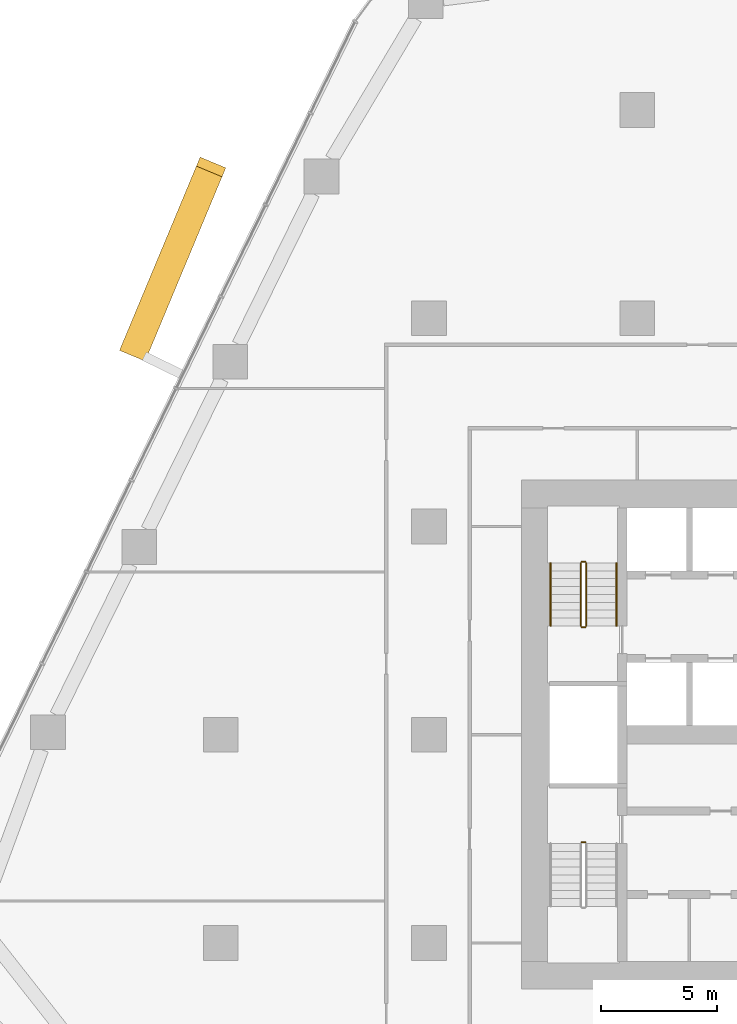
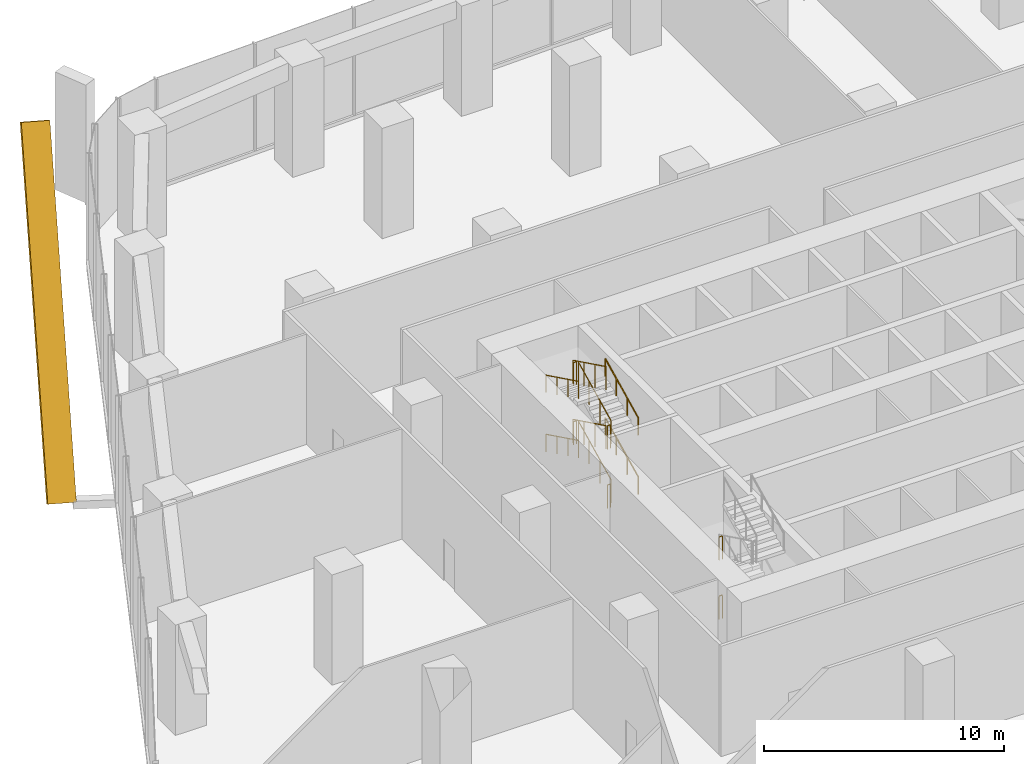
# One storey, part 17 of 19: 14 railings, 1 covering, 1 element without a shape of its own.
"""IFC4 building model written with IfcOpenShell, lengths in metres."""

from ifc_helpers import new_model, si_unit, direction, frame, origin, origin_2d, place, context, subcontext, project, spatial, rectangle, circle, extrude, material, layer, layer_set, material_profile, profile_set, type_object, element, aggregate, save


model = new_model("IFC4")

# Units and contexts
model_context = context("Model", 3, precision=1e-05, world=origin(), true_north=direction((0.0, 1.0)))
body_context = subcontext(model_context, "Body", "Model", "MODEL_VIEW")
ifc_project = project(units=[si_unit("LENGTHUNIT", "METRE"), si_unit("AREAUNIT", "SQUARE_METRE"), si_unit("VOLUMEUNIT", "CUBIC_METRE"), si_unit("PLANEANGLEUNIT", "RADIAN"), si_unit("MASSUNIT", "GRAM", prefix="KILO")], contexts=[model_context])

# Site, building, storey
site_placement = place(None, origin())
site = spatial("IfcSite", under=ifc_project, at=site_placement, CompositionType="ELEMENT")
building_placement = place(site_placement, origin())
building = spatial("IfcBuilding", under=site, at=building_placement, Name="Dongbaek Canopy Tower", CompositionType="ELEMENT")
storey_placement = place(building_placement, frame((0.0, 0.0, 38.0)))
storey = spatial("IfcBuildingStorey", under=building, at=storey_placement, Name="L05", CompositionType="ELEMENT", Elevation=38.0)

# Curtain wall, covering
ifc_material_1 = material(Name="Aluminium 6063-T6 pale anodised", Category="aluminium")
ifc_layer = layer(ifc_material_1, 0.25)
ifc_layer_set = layer_set([ifc_layer], Name="CW-4 sky-lobby curtain wall")
curtain_wall_type = type_object("IfcCurtainWallType", Name="CW-4 sky-lobby curtain wall", PredefinedType="NOTDEFINED", material=ifc_layer_set)
curtain_wall_placement = place(storey_placement, origin())
curtain_wall = element("IfcCurtainWall", 1, at=curtain_wall_placement, inside=storey, type_object=curtain_wall_type, Name="CW-4 curtain wall F2.1", PredefinedType="NOTDEFINED")
ifc_material_2 = material(Name="Aluminium 6063-T6 pale metal fin", Category="aluminium")
ifc_material_profile = material_profile(ifc_material_2, rectangle(XDim=1.199951171875, YDim=0.5, at=origin_2d()), Name="Crease fin CF1 500 x 1200 pale metal")
ifc_profile_set = profile_set([ifc_material_profile], Name="Aluminium 6063-T6 pale metal fin")
covering_type = type_object("IfcCoveringType", Name="Crease fin CF1 500 x 1200 pale metal", PredefinedType="CLADDING", material=ifc_profile_set)
covering_placement = place(storey_placement, frame((-30.7412109375, 16.5693359375, -0.199951171875), z_axis=(0.208461555595, 0.499701143847, 0.840739285794), x_axis=(-0.922911108661, 0.385013097841, 0.0)))
covering = element("IfcCovering", 2, at=covering_placement, type_object=covering_type, Name="Crease fin L05 L08 F2", PredefinedType="CLADDING", context=body_context, shape_type="SweptSolid", body=[
    extrude(rectangle(XDim=1.199951171875, YDim=0.5, at=origin_2d()), origin(), (0.0, 0.0, 1.0), 15.938232421875),
])
aggregate(curtain_wall, [covering])

# Railings
ifc_material_3 = material(Name="Stainless steel tube and balusters", Category="steel")
railing_type_1 = type_object("IfcRailingType", Name="Stair guard 1200", PredefinedType="GUARDRAIL", material=ifc_material_3)
railing_1_placement = place(storey_placement, frame((-11.199951171875, 4.699951171875, 0.166748046875)))
element("IfcRailing", 3, at=railing_1_placement, inside=storey, type_object=railing_type_1, Name="L05 ST-C stair guard 1", PredefinedType="GUARDRAIL", context=body_context, shape_type="SweptSolid", body=[
    extrude(circle(Radius=0.02392578125, at=origin_2d()), frame((0.0, 0.0, 1.17578125), z_axis=(0.0, 0.897929466783, 0.4401393787), x_axis=(-1.0, 0.0, 0.0)), (0.0, 0.0, 1.0), 3.029052734375),
    extrude(circle(Radius=0.02099609375, at=origin_2d()), origin(), (0.0, 0.0, 1.0), 1.15185546875),
    extrude(circle(Radius=0.02099609375, at=origin_2d()), frame((0.0, 0.90673828125, 0.4443359375)), (0.0, 0.0, 1.0), 1.15185546875),
    extrude(circle(Radius=0.02099609375, at=origin_2d()), frame((0.0, 1.813232421875, 0.888916015625)), (0.0, 0.0, 1.0), 1.15185546875),
    extrude(circle(Radius=0.02099609375, at=origin_2d()), frame((0.0, 2.719970703125, 1.333251953125)), (0.0, 0.0, 1.0), 1.15185546875),
])
railing_2_placement = place(storey_placement, frame((-11.25, 7.469970703125, 1.5)))
element("IfcRailing", 4, at=railing_2_placement, inside=storey, type_object=railing_type_1, Name="L05 ST-C stair guard 2", PredefinedType="GUARDRAIL", context=body_context, shape_type="SweptSolid", body=[
    extrude(circle(Radius=0.02392578125, at=origin_2d()), frame((0.0, 0.0, 1.17578125), z_axis=(-1.0, 0.0, 0.0), x_axis=(0.0, -1.0, 0.0)), (0.0, 0.0, 1.0), 0.14990234375),
    extrude(circle(Radius=0.02099609375, at=origin_2d()), origin(), (0.0, 0.0, 1.0), 1.15185546875),
    extrude(circle(Radius=0.02099609375, at=origin_2d()), frame((-0.14990234375, 0.0, 0.0)), (0.0, 0.0, 1.0), 1.15185546875),
])
railing_3_placement = place(storey_placement, frame((-11.449951171875, 7.419921875, 1.666748046875)))
element("IfcRailing", 5, at=railing_3_placement, inside=storey, type_object=railing_type_1, Name="L05 ST-C stair guard 3", PredefinedType="GUARDRAIL", context=body_context, shape_type="SweptSolid", body=[
    extrude(circle(Radius=0.02392578125, at=origin_2d()), frame((0.0, 0.0, 1.17578125), z_axis=(0.0, -0.897929466783, 0.4401393787), x_axis=(1.0, 0.0, 0.0)), (0.0, 0.0, 1.0), 3.029052734375),
    extrude(circle(Radius=0.02099609375, at=origin_2d()), origin(), (0.0, 0.0, 1.0), 1.15185546875),
    extrude(circle(Radius=0.02099609375, at=origin_2d()), frame((0.0, -0.90673828125, 0.4443359375)), (0.0, 0.0, 1.0), 1.15185546875),
    extrude(circle(Radius=0.02099609375, at=origin_2d()), frame((0.0, -1.813232421875, 0.888916015625)), (0.0, 0.0, 1.0), 1.15185546875),
    extrude(circle(Radius=0.02099609375, at=origin_2d()), frame((0.0, -2.719970703125, 1.333251953125)), (0.0, 0.0, 1.0), 1.15185546875),
])
railing_4_placement = place(storey_placement, frame((-11.25, 4.64990234375, 3.0)))
element("IfcRailing", 6, at=railing_4_placement, inside=storey, type_object=railing_type_1, Name="L05 ST-C stair guard 4", PredefinedType="GUARDRAIL", context=body_context, shape_type="SweptSolid", body=[
    extrude(circle(Radius=0.02392578125, at=origin_2d()), frame((0.0, 0.0, 1.17578125), z_axis=(-1.0, 0.0, 0.0), x_axis=(0.0, -1.0, 0.0)), (0.0, 0.0, 1.0), 0.14990234375),
    extrude(circle(Radius=0.02099609375, at=origin_2d()), origin(), (0.0, 0.0, 1.0), 1.15185546875),
    extrude(circle(Radius=0.02099609375, at=origin_2d()), frame((-0.14990234375, 0.0, 0.0)), (0.0, 0.0, 1.0), 1.15185546875),
])
railing_5_placement = place(storey_placement, frame((-11.199951171875, 4.699951171875, 3.166748046875)))
element("IfcRailing", 7, at=railing_5_placement, inside=storey, type_object=railing_type_1, Name="L05 ST-C stair guard 5", PredefinedType="GUARDRAIL", context=body_context, shape_type="SweptSolid", body=[
    extrude(circle(Radius=0.02392578125, at=origin_2d()), frame((0.0, 0.0, 1.17578125), z_axis=(0.0, 0.897929466783, 0.4401393787), x_axis=(-1.0, 0.0, 0.0)), (0.0, 0.0, 1.0), 3.029052734375),
    extrude(circle(Radius=0.02099609375, at=origin_2d()), origin(), (0.0, 0.0, 1.0), 1.15185546875),
    extrude(circle(Radius=0.02099609375, at=origin_2d()), frame((0.0, 0.90673828125, 0.4443359375)), (0.0, 0.0, 1.0), 1.15185546875),
    extrude(circle(Radius=0.02099609375, at=origin_2d()), frame((0.0, 1.813232421875, 0.888916015625)), (0.0, 0.0, 1.0), 1.15185546875),
    extrude(circle(Radius=0.02099609375, at=origin_2d()), frame((0.0, 2.719970703125, 1.333251953125)), (0.0, 0.0, 1.0), 1.15185546875),
])
railing_6_placement = place(storey_placement, frame((-11.25, 7.469970703125, 4.5)))
element("IfcRailing", 8, at=railing_6_placement, inside=storey, type_object=railing_type_1, Name="L05 ST-C stair guard 6", PredefinedType="GUARDRAIL", context=body_context, shape_type="SweptSolid", body=[
    extrude(circle(Radius=0.02392578125, at=origin_2d()), frame((0.0, 0.0, 1.17578125), z_axis=(-1.0, 0.0, 0.0), x_axis=(0.0, -1.0, 0.0)), (0.0, 0.0, 1.0), 0.14990234375),
    extrude(circle(Radius=0.02099609375, at=origin_2d()), origin(), (0.0, 0.0, 1.0), 1.15185546875),
    extrude(circle(Radius=0.02099609375, at=origin_2d()), frame((-0.14990234375, 0.0, 0.0)), (0.0, 0.0, 1.0), 1.15185546875),
])
railing_7_placement = place(storey_placement, frame((-11.449951171875, 7.419921875, 4.666748046875)))
element("IfcRailing", 9, at=railing_7_placement, inside=storey, type_object=railing_type_1, Name="L05 ST-C stair guard 7", PredefinedType="GUARDRAIL", context=body_context, shape_type="SweptSolid", body=[
    extrude(circle(Radius=0.02392578125, at=origin_2d()), frame((0.0, 0.0, 1.17578125), z_axis=(0.0, -0.897929466783, 0.4401393787), x_axis=(1.0, 0.0, 0.0)), (0.0, 0.0, 1.0), 3.029052734375),
    extrude(circle(Radius=0.02099609375, at=origin_2d()), origin(), (0.0, 0.0, 1.0), 1.15185546875),
    extrude(circle(Radius=0.02099609375, at=origin_2d()), frame((0.0, -0.90673828125, 0.4443359375)), (0.0, 0.0, 1.0), 1.15185546875),
    extrude(circle(Radius=0.02099609375, at=origin_2d()), frame((0.0, -1.813232421875, 0.888916015625)), (0.0, 0.0, 1.0), 1.15185546875),
    extrude(circle(Radius=0.02099609375, at=origin_2d()), frame((0.0, -2.719970703125, 1.333251953125)), (0.0, 0.0, 1.0), 1.15185546875),
])
railing_8_placement = place(storey_placement, frame((-11.25, 4.64990234375, 0.0)))
element("IfcRailing", 10, at=railing_8_placement, inside=storey, type_object=railing_type_1, Name="L05 ST-C stair guard 8", PredefinedType="GUARDRAIL", context=body_context, shape_type="SweptSolid", body=[
    extrude(circle(Radius=0.02392578125, at=origin_2d()), frame((0.0, 0.0, 1.17578125), z_axis=(-1.0, 0.0, 0.0), x_axis=(0.0, -1.0, 0.0)), (0.0, 0.0, 1.0), 0.14990234375),
    extrude(circle(Radius=0.02099609375, at=origin_2d()), origin(), (0.0, 0.0, 1.0), 1.15185546875),
    extrude(circle(Radius=0.02099609375, at=origin_2d()), frame((-0.14990234375, 0.0, 0.0)), (0.0, 0.0, 1.0), 1.15185546875),
])
for number, where, name in (
    (11, (-11.39990234375, -4.64990234375, 3.0), "L05 ST-D stair guard 4"),
    (12, (-11.39990234375, -4.64990234375, 0.0), "L05 ST-D stair guard 8"),
):
    element("IfcRailing", number, at=place(storey_placement, frame(where)), inside=storey, type_object=railing_type_1, Name=name, PredefinedType="GUARDRAIL", context=body_context, shape_type="SweptSolid", body=[
        extrude(circle(Radius=0.02392578125, at=origin_2d()), frame((0.0, 0.0, 1.17578125), z_axis=(1.0, 0.0, 0.0), x_axis=(0.0, 1.0, 0.0)), (0.0, 0.0, 1.0), 0.14990234375),
        extrude(circle(Radius=0.02099609375, at=origin_2d()), origin(), (0.0, 0.0, 1.0), 1.15185546875),
        extrude(circle(Radius=0.02099609375, at=origin_2d()), frame((0.14990234375, 0.0, 0.0)), (0.0, 0.0, 1.0), 1.15185546875),
    ])
ifc_material_4 = material(Name="Stainless steel tube", Category="steel")
railing_type_2 = type_object("IfcRailingType", Name="Stair handrail 900", PredefinedType="HANDRAIL", material=ifc_material_4)
railing_9_placement = place(storey_placement, frame((-9.89990234375, 4.699951171875, 0.166748046875)))
element("IfcRailing", 13, at=railing_9_placement, inside=storey, type_object=railing_type_2, Name="L05 ST-C stair handrail 1", PredefinedType="HANDRAIL", context=body_context, shape_type="SweptSolid", body=[
    extrude(circle(Radius=0.02392578125, at=origin_2d()), frame((0.0, 0.0, 0.8759765625), z_axis=(0.0, 0.897929466783, 0.4401393787), x_axis=(-1.0, 0.0, 0.0)), (0.0, 0.0, 1.0), 3.029052734375),
    extrude(circle(Radius=0.02099609375, at=origin_2d()), origin(), (0.0, 0.0, 1.0), 0.851806640625),
    extrude(circle(Radius=0.02099609375, at=origin_2d()), frame((0.0, 0.90673828125, 0.4443359375)), (0.0, 0.0, 1.0), 0.851806640625),
    extrude(circle(Radius=0.02099609375, at=origin_2d()), frame((0.0, 1.813232421875, 0.888916015625)), (0.0, 0.0, 1.0), 0.851806640625),
    extrude(circle(Radius=0.02099609375, at=origin_2d()), frame((0.0, 2.719970703125, 1.333251953125)), (0.0, 0.0, 1.0), 0.851806640625),
])
railing_10_placement = place(storey_placement, frame((-12.75, 7.419921875, 1.666748046875)))
element("IfcRailing", 14, at=railing_10_placement, inside=storey, type_object=railing_type_2, Name="L05 ST-C stair handrail 2", PredefinedType="HANDRAIL", context=body_context, shape_type="SweptSolid", body=[
    extrude(circle(Radius=0.02392578125, at=origin_2d()), frame((0.0, 0.0, 0.8759765625), z_axis=(0.0, -0.897929466783, 0.4401393787), x_axis=(1.0, 0.0, 0.0)), (0.0, 0.0, 1.0), 3.029052734375),
    extrude(circle(Radius=0.02099609375, at=origin_2d()), origin(), (0.0, 0.0, 1.0), 0.851806640625),
    extrude(circle(Radius=0.02099609375, at=origin_2d()), frame((0.0, -0.90673828125, 0.4443359375)), (0.0, 0.0, 1.0), 0.851806640625),
    extrude(circle(Radius=0.02099609375, at=origin_2d()), frame((0.0, -1.813232421875, 0.888916015625)), (0.0, 0.0, 1.0), 0.851806640625),
    extrude(circle(Radius=0.02099609375, at=origin_2d()), frame((0.0, -2.719970703125, 1.333251953125)), (0.0, 0.0, 1.0), 0.851806640625),
])
railing_11_placement = place(storey_placement, frame((-9.89990234375, 4.699951171875, 3.166748046875)))
element("IfcRailing", 15, at=railing_11_placement, inside=storey, type_object=railing_type_2, Name="L05 ST-C stair handrail 3", PredefinedType="HANDRAIL", context=body_context, shape_type="SweptSolid", body=[
    extrude(circle(Radius=0.02392578125, at=origin_2d()), frame((0.0, 0.0, 0.8759765625), z_axis=(0.0, 0.897929466783, 0.4401393787), x_axis=(-1.0, 0.0, 0.0)), (0.0, 0.0, 1.0), 3.029052734375),
    extrude(circle(Radius=0.02099609375, at=origin_2d()), origin(), (0.0, 0.0, 1.0), 0.851806640625),
    extrude(circle(Radius=0.02099609375, at=origin_2d()), frame((0.0, 0.90673828125, 0.4443359375)), (0.0, 0.0, 1.0), 0.851806640625),
    extrude(circle(Radius=0.02099609375, at=origin_2d()), frame((0.0, 1.813232421875, 0.888916015625)), (0.0, 0.0, 1.0), 0.851806640625),
    extrude(circle(Radius=0.02099609375, at=origin_2d()), frame((0.0, 2.719970703125, 1.333251953125)), (0.0, 0.0, 1.0), 0.851806640625),
])
railing_12_placement = place(storey_placement, frame((-12.75, 7.419921875, 4.666748046875)))
element("IfcRailing", 16, at=railing_12_placement, inside=storey, type_object=railing_type_2, Name="L05 ST-C stair handrail 4", PredefinedType="HANDRAIL", context=body_context, shape_type="SweptSolid", body=[
    extrude(circle(Radius=0.02392578125, at=origin_2d()), frame((0.0, 0.0, 0.8759765625), z_axis=(0.0, -0.897929466783, 0.4401393787), x_axis=(1.0, 0.0, 0.0)), (0.0, 0.0, 1.0), 3.029052734375),
    extrude(circle(Radius=0.02099609375, at=origin_2d()), origin(), (0.0, 0.0, 1.0), 0.851806640625),
    extrude(circle(Radius=0.02099609375, at=origin_2d()), frame((0.0, -0.90673828125, 0.4443359375)), (0.0, 0.0, 1.0), 0.851806640625),
    extrude(circle(Radius=0.02099609375, at=origin_2d()), frame((0.0, -1.813232421875, 0.888916015625)), (0.0, 0.0, 1.0), 0.851806640625),
    extrude(circle(Radius=0.02099609375, at=origin_2d()), frame((0.0, -2.719970703125, 1.333251953125)), (0.0, 0.0, 1.0), 0.851806640625),
])

save(model, "model.ifc")
